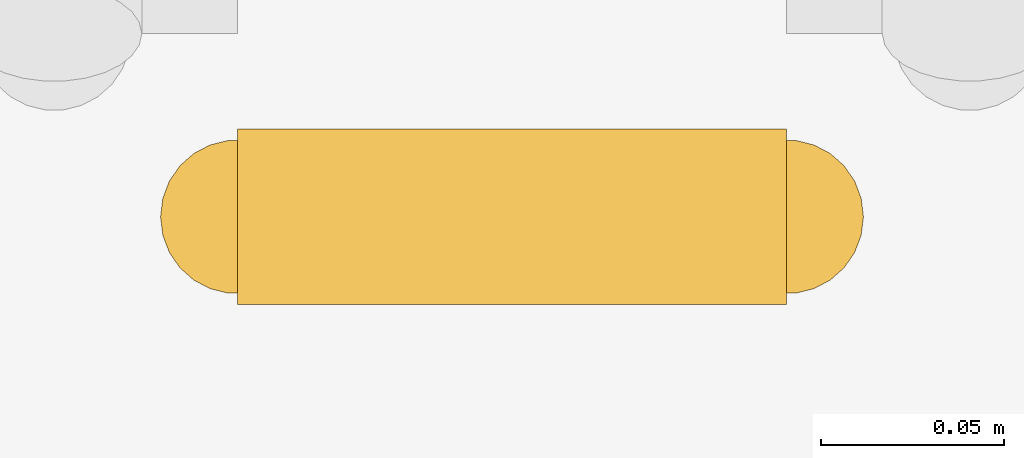
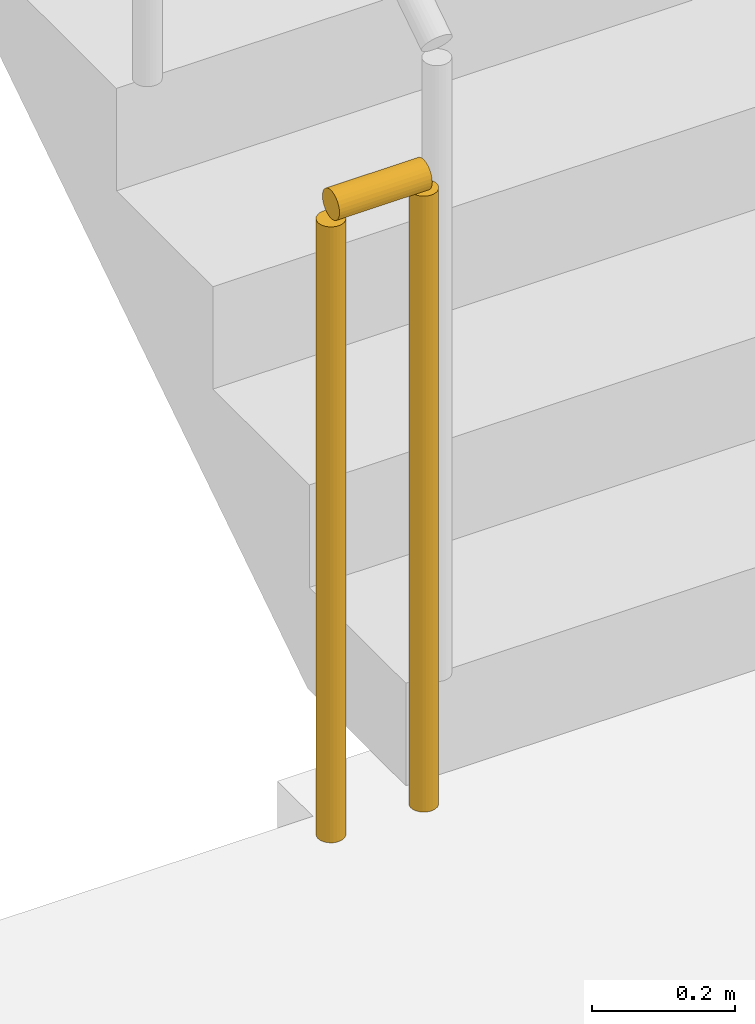
# One storey, part 16 of 19: 1 railing.
"""IFC4 building model written with IfcOpenShell, lengths in metres."""

from ifc_helpers import new_model, si_unit, direction, frame, origin, origin_2d, place, context, subcontext, project, spatial, circle, extrude, material, type_object, element, save


model = new_model("IFC4")

# Units and contexts
model_context = context("Model", 3, precision=1e-05, world=origin(), true_north=direction((0.0, 1.0)))
body_context = subcontext(model_context, "Body", "Model", "MODEL_VIEW")
ifc_project = project(units=[si_unit("LENGTHUNIT", "METRE"), si_unit("AREAUNIT", "SQUARE_METRE"), si_unit("VOLUMEUNIT", "CUBIC_METRE"), si_unit("PLANEANGLEUNIT", "RADIAN"), si_unit("MASSUNIT", "GRAM", prefix="KILO")], contexts=[model_context])

# Site, building, storey
site_placement = place(None, origin())
site = spatial("IfcSite", under=ifc_project, at=site_placement, CompositionType="ELEMENT")
building_placement = place(site_placement, origin())
building = spatial("IfcBuilding", under=site, at=building_placement, Name="Saffron Iwan Residences", CompositionType="ELEMENT")
storey_placement = place(building_placement, frame((0.0, 0.0, 253.5)))
storey = spatial("IfcBuildingStorey", under=building, at=storey_placement, Name="L68", CompositionType="ELEMENT", Elevation=253.5)

# Railing
ifc_material = material(Name="Steel S355", Category="steel")
railing_type = type_object("IfcRailingType", Name="Stair guard 1100", PredefinedType="GUARDRAIL", material=ifc_material)
railing_placement = place(storey_placement, frame((69.699951171875, 67.800048828125, 0.0)))
element("IfcRailing", 1, at=railing_placement, inside=storey, type_object=railing_type, Name="L68 ST-E stair guard 2", PredefinedType="GUARDRAIL", context=body_context, shape_type="SweptSolid", body=[
    extrude(circle(Radius=0.02392578125, at=origin_2d()), frame((0.0, 0.0, 1.076171875), z_axis=(-1.0, 0.0, 0.0), x_axis=(0.0, -1.0, 0.0)), (0.0, 0.0, 1.0), 0.14990234375),
    extrude(circle(Radius=0.02099609375, at=origin_2d()), origin(), (0.0, 0.0, 1.0), 1.052001953125),
    extrude(circle(Radius=0.02099609375, at=origin_2d()), frame((-0.14990234375, 0.0, 0.0)), (0.0, 0.0, 1.0), 1.052001953125),
])

save(model, "model.ifc")
